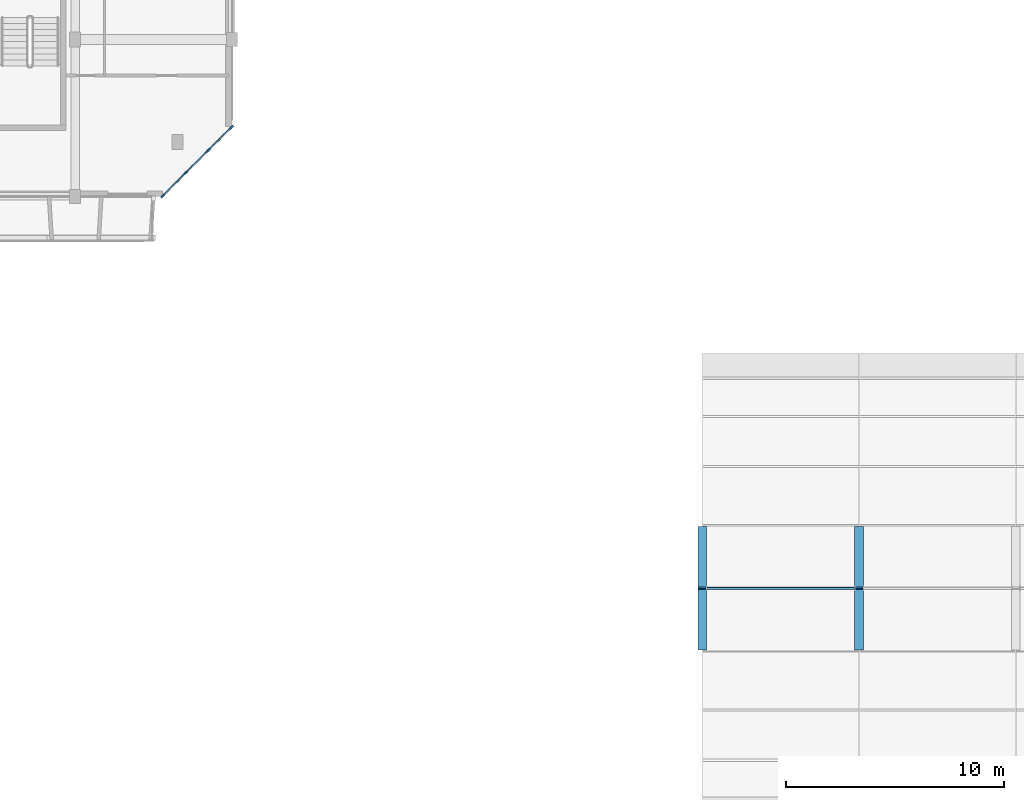
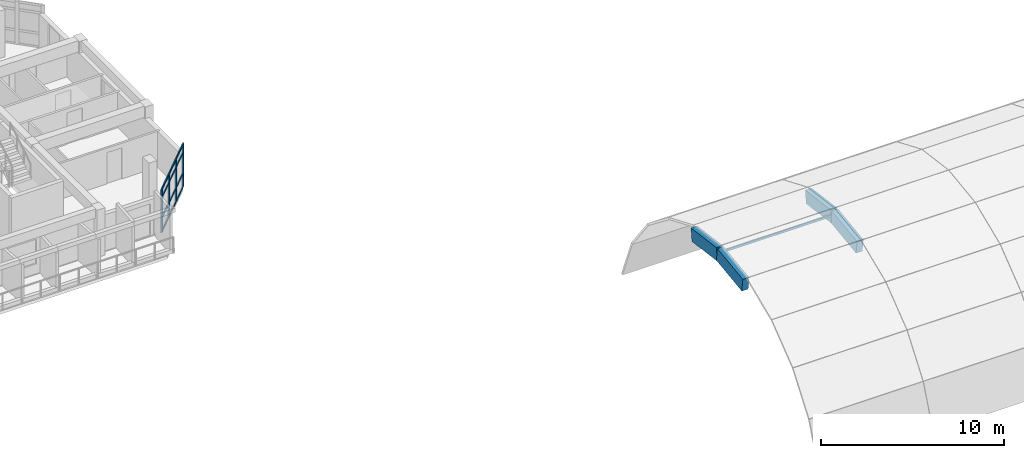
# One storey, part 5 of 51: 17 members, 4 beams, 1 element without a shape of its own.
"""IFC4 building model written with IfcOpenShell, lengths in metres."""

from ifc_helpers import new_model, si_unit, direction, frame, origin, origin_2d, place, context, subcontext, project, spatial, rectangle, hollow_rectangle, extrude, material, layer, layer_set, material_profile, profile_set, type_object, element, aggregate, save


model = new_model("IFC4")

# Units and contexts
model_context = context("Model", 3, precision=1e-05, world=origin(), true_north=direction((0.0, 1.0)))
body_context = subcontext(model_context, "Body", "Model", "MODEL_VIEW")
ifc_project = project(units=[si_unit("LENGTHUNIT", "METRE"), si_unit("AREAUNIT", "SQUARE_METRE"), si_unit("VOLUMEUNIT", "CUBIC_METRE"), si_unit("PLANEANGLEUNIT", "RADIAN"), si_unit("MASSUNIT", "GRAM", prefix="KILO")], contexts=[model_context])

# Site, building, storey
site_placement = place(None, origin())
site = spatial("IfcSite", under=ifc_project, at=site_placement, CompositionType="ELEMENT")
building_placement = place(site_placement, origin())
building = spatial("IfcBuilding", under=site, at=building_placement, Name="Ochrevale Crest", CompositionType="ELEMENT")
storey_placement = place(building_placement, frame((0.0, 0.0, 11.85009765625)))
storey = spatial("IfcBuildingStorey", under=building, at=storey_placement, Name="L03", CompositionType="ELEMENT", Elevation=11.85009765625)

# Beams
ifc_material_1 = material(Name="Precast concrete C50/60", Category="concrete")
ifc_material_profile_1 = material_profile(ifc_material_1, rectangle(XDim=0.39990234375, YDim=0.85009765625, at=origin_2d()), Name="PC 400x850")
ifc_profile_set_1 = profile_set([ifc_material_profile_1], Name="Precast concrete C50/60")
beam_type = type_object("IfcBeamType", Name="BM-AR400x850", PredefinedType="BEAM", material=ifc_profile_set_1)
for number, where, z_axis, x_axis, name in (
    (1, (57.60009765625, 51.222412109375, 0.465576171875), (0.0, 0.991272739932, 0.131826989146), (-1.0, 0.0, 0.0), "Precast vault arch rib AR-01 chord 5"),
    (2, (57.60009765625, 54.0, 0.8349609375), (0.0, 0.991272739932, -0.131826989146), (-1.0, 0.0, 0.0), "Precast vault arch rib AR-01 chord 6"),
    (3, (64.800048828125, 51.222412109375, 0.465576171875), (0.0, 0.991272739932, 0.131826989146), (-1.0, 0.0, 0.0), "Precast vault arch rib AR-02 chord 5"),
    (4, (64.800048828125, 54.0, 0.8349609375), (0.0, 0.991272739932, -0.131826989146), (-1.0, 0.0, 0.0), "Precast vault arch rib AR-02 chord 6"),
):
    element("IfcBeam", number, at=place(storey_placement, frame(where, z_axis=z_axis, x_axis=x_axis)), inside=storey, type_object=beam_type, Name=name, PredefinedType="BEAM", context=body_context, shape_type="SweptSolid", body=[
        extrude(rectangle(XDim=0.39990234375, YDim=0.85009765625, at=origin_2d()), origin(), (0.0, 0.0, 1.0), 2.802001953125),
    ])

# Curtain wall, members
ifc_material_2 = material(Name="Anodised aluminium 6063-T5", Category="aluminium")
ifc_layer = layer(ifc_material_2, 0.14990234375)
ifc_layer_set = layer_set([ifc_layer], Name="Anodised aluminium 6063-T5")
curtain_wall_type = type_object("IfcCurtainWallType", Name="CW-WG-240x285", PredefinedType="NOTDEFINED", material=ifc_layer_set)
curtain_wall_placement = place(storey_placement, origin())
curtain_wall = element("IfcCurtainWall", 5, at=curtain_wall_placement, inside=storey, type_object=curtain_wall_type, Name="Block B L03 chamfered corner wintergarden curtain wall 2", PredefinedType="NOTDEFINED")
ifc_material_profile_2 = material_profile(ifc_material_2, rectangle(XDim=0.074951171875, YDim=0.219970703125, at=origin_2d()), Name="ALU 75x220")
ifc_profile_set_2 = profile_set([ifc_material_profile_2], Name="Anodised aluminium 6063-T5")
member_type_1 = type_object("IfcMemberType", Name="CW-MUL-75x220", PredefinedType="MULLION", material=ifc_profile_set_2)
member_1_placement = place(storey_placement, frame((32.826416015625, 72.026611328125, 0.0), z_axis=(0.0, 0.0, 1.0), x_axis=(-0.707106781187, 0.707106781187, 0.0)))
member_1 = element("IfcMember", 6, at=member_1_placement, type_object=member_type_1, Name="CW15 mullion 1", PredefinedType="MULLION", context=body_context, shape_type="SweptSolid", body=[
    extrude(rectangle(XDim=0.074951171875, YDim=0.219970703125, at=origin_2d()), origin(), (0.0, 0.0, 1.0), 2.875),
])
member_2_placement = place(storey_placement, frame((33.86669921875, 73.066650390625, 0.0), z_axis=(0.0, 0.0, 1.0), x_axis=(-0.707106781187, 0.707106781187, 0.0)))
member_2 = element("IfcMember", 7, at=member_2_placement, type_object=member_type_1, Name="CW15 mullion 2", PredefinedType="MULLION", context=body_context, shape_type="SweptSolid", body=[
    extrude(rectangle(XDim=0.074951171875, YDim=0.219970703125, at=origin_2d()), origin(), (0.0, 0.0, 1.0), 2.875),
])
member_3_placement = place(storey_placement, frame((34.933349609375, 74.13330078125, 0.0), z_axis=(0.0, 0.0, 1.0), x_axis=(-0.707106781187, 0.707106781187, 0.0)))
member_3 = element("IfcMember", 8, at=member_3_placement, type_object=member_type_1, Name="CW15 mullion 3", PredefinedType="MULLION", context=body_context, shape_type="SweptSolid", body=[
    extrude(rectangle(XDim=0.074951171875, YDim=0.219970703125, at=origin_2d()), origin(), (0.0, 0.0, 1.0), 2.875),
])
member_4_placement = place(storey_placement, frame((35.973388671875, 75.173583984375, 0.0), z_axis=(0.0, 0.0, 1.0), x_axis=(-0.707106781187, 0.707106781187, 0.0)))
member_4 = element("IfcMember", 9, at=member_4_placement, type_object=member_type_1, Name="CW15 mullion 4", PredefinedType="MULLION", context=body_context, shape_type="SweptSolid", body=[
    extrude(rectangle(XDim=0.074951171875, YDim=0.219970703125, at=origin_2d()), origin(), (0.0, 0.0, 1.0), 2.875),
])
ifc_material_profile_3 = material_profile(ifc_material_2, rectangle(XDim=0.06005859375, YDim=0.14990234375, at=origin_2d()), Name="ALU 60x150")
ifc_profile_set_3 = profile_set([ifc_material_profile_3], Name="Anodised aluminium 6063-T5")
member_type_2 = type_object("IfcMemberType", Name="CW-TRN-60x150", PredefinedType="USERDEFINED", material=ifc_profile_set_3)
member_5_placement = place(storey_placement, frame((32.85302734375, 72.052978515625, 0.02978515625), z_axis=(0.707106781187, 0.707106781187, 0.0), x_axis=(-0.707106781187, 0.707106781187, 0.0)))
member_5 = element("IfcMember", 10, at=member_5_placement, type_object=member_type_2, Name="CW15 transom 1.1", ObjectType="TRANSOM", PredefinedType="USERDEFINED", context=body_context, shape_type="SweptSolid", body=[
    extrude(rectangle(XDim=0.06005859375, YDim=0.14990234375, at=origin_2d()), origin(), (0.0, 0.0, 1.0), 1.39599609375),
])
member_6_placement = place(storey_placement, frame((32.85302734375, 72.052978515625, 0.949951171875), z_axis=(0.707106781187, 0.707106781187, 0.0), x_axis=(-0.707106781187, 0.707106781187, 0.0)))
member_6 = element("IfcMember", 11, at=member_6_placement, type_object=member_type_2, Name="CW15 transom 1.2", ObjectType="TRANSOM", PredefinedType="USERDEFINED", context=body_context, shape_type="SweptSolid", body=[
    extrude(rectangle(XDim=0.06005859375, YDim=0.14990234375, at=origin_2d()), origin(), (0.0, 0.0, 1.0), 1.39599609375),
])
member_7_placement = place(storey_placement, frame((32.85302734375, 72.052978515625, 2.324951171875), z_axis=(0.707106781187, 0.707106781187, 0.0), x_axis=(-0.707106781187, 0.707106781187, 0.0)))
member_7 = element("IfcMember", 12, at=member_7_placement, type_object=member_type_2, Name="CW15 transom 1.3", ObjectType="TRANSOM", PredefinedType="USERDEFINED", context=body_context, shape_type="SweptSolid", body=[
    extrude(rectangle(XDim=0.06005859375, YDim=0.14990234375, at=origin_2d()), origin(), (0.0, 0.0, 1.0), 1.39599609375),
])
member_8_placement = place(storey_placement, frame((32.85302734375, 72.052978515625, 2.844970703125), z_axis=(0.707106781187, 0.707106781187, 0.0), x_axis=(-0.707106781187, 0.707106781187, 0.0)))
member_8 = element("IfcMember", 13, at=member_8_placement, type_object=member_type_2, Name="CW15 transom 1.4", ObjectType="TRANSOM", PredefinedType="USERDEFINED", context=body_context, shape_type="SweptSolid", body=[
    extrude(rectangle(XDim=0.06005859375, YDim=0.14990234375, at=origin_2d()), origin(), (0.0, 0.0, 1.0), 1.39599609375),
])
member_9_placement = place(storey_placement, frame((33.89306640625, 73.09326171875, 0.02978515625), z_axis=(0.707106781187, 0.707106781187, 0.0), x_axis=(-0.707106781187, 0.707106781187, 0.0)))
member_9 = element("IfcMember", 14, at=member_9_placement, type_object=member_type_2, Name="CW15 transom 2.1", ObjectType="TRANSOM", PredefinedType="USERDEFINED", context=body_context, shape_type="SweptSolid", body=[
    extrude(rectangle(XDim=0.06005859375, YDim=0.14990234375, at=origin_2d()), origin(), (0.0, 0.0, 1.0), 1.43359375),
])
member_10_placement = place(storey_placement, frame((33.89306640625, 73.09326171875, 0.949951171875), z_axis=(0.707106781187, 0.707106781187, 0.0), x_axis=(-0.707106781187, 0.707106781187, 0.0)))
member_10 = element("IfcMember", 15, at=member_10_placement, type_object=member_type_2, Name="CW15 transom 2.2", ObjectType="TRANSOM", PredefinedType="USERDEFINED", context=body_context, shape_type="SweptSolid", body=[
    extrude(rectangle(XDim=0.06005859375, YDim=0.14990234375, at=origin_2d()), origin(), (0.0, 0.0, 1.0), 1.43359375),
])
member_11_placement = place(storey_placement, frame((33.89306640625, 73.09326171875, 2.324951171875), z_axis=(0.707106781187, 0.707106781187, 0.0), x_axis=(-0.707106781187, 0.707106781187, 0.0)))
member_11 = element("IfcMember", 16, at=member_11_placement, type_object=member_type_2, Name="CW15 transom 2.3", ObjectType="TRANSOM", PredefinedType="USERDEFINED", context=body_context, shape_type="SweptSolid", body=[
    extrude(rectangle(XDim=0.06005859375, YDim=0.14990234375, at=origin_2d()), origin(), (0.0, 0.0, 1.0), 1.43359375),
])
member_12_placement = place(storey_placement, frame((33.89306640625, 73.09326171875, 2.844970703125), z_axis=(0.707106781187, 0.707106781187, 0.0), x_axis=(-0.707106781187, 0.707106781187, 0.0)))
member_12 = element("IfcMember", 17, at=member_12_placement, type_object=member_type_2, Name="CW15 transom 2.4", ObjectType="TRANSOM", PredefinedType="USERDEFINED", context=body_context, shape_type="SweptSolid", body=[
    extrude(rectangle(XDim=0.06005859375, YDim=0.14990234375, at=origin_2d()), origin(), (0.0, 0.0, 1.0), 1.43359375),
])
member_13_placement = place(storey_placement, frame((34.9599609375, 74.159912109375, 0.02978515625), z_axis=(0.707106781187, 0.707106781187, 0.0), x_axis=(-0.707106781187, 0.707106781187, 0.0)))
member_13 = element("IfcMember", 18, at=member_13_placement, type_object=member_type_2, Name="CW15 transom 3.1", ObjectType="TRANSOM", PredefinedType="USERDEFINED", context=body_context, shape_type="SweptSolid", body=[
    extrude(rectangle(XDim=0.06005859375, YDim=0.14990234375, at=origin_2d()), origin(), (0.0, 0.0, 1.0), 1.39599609375),
])
member_14_placement = place(storey_placement, frame((34.9599609375, 74.159912109375, 0.949951171875), z_axis=(0.707106781187, 0.707106781187, 0.0), x_axis=(-0.707106781187, 0.707106781187, 0.0)))
member_14 = element("IfcMember", 19, at=member_14_placement, type_object=member_type_2, Name="CW15 transom 3.2", ObjectType="TRANSOM", PredefinedType="USERDEFINED", context=body_context, shape_type="SweptSolid", body=[
    extrude(rectangle(XDim=0.06005859375, YDim=0.14990234375, at=origin_2d()), origin(), (0.0, 0.0, 1.0), 1.39599609375),
])
member_15_placement = place(storey_placement, frame((34.9599609375, 74.159912109375, 2.324951171875), z_axis=(0.707106781187, 0.707106781187, 0.0), x_axis=(-0.707106781187, 0.707106781187, 0.0)))
member_15 = element("IfcMember", 20, at=member_15_placement, type_object=member_type_2, Name="CW15 transom 3.3", ObjectType="TRANSOM", PredefinedType="USERDEFINED", context=body_context, shape_type="SweptSolid", body=[
    extrude(rectangle(XDim=0.06005859375, YDim=0.14990234375, at=origin_2d()), origin(), (0.0, 0.0, 1.0), 1.39599609375),
])
member_16_placement = place(storey_placement, frame((34.9599609375, 74.159912109375, 2.844970703125), z_axis=(0.707106781187, 0.707106781187, 0.0), x_axis=(-0.707106781187, 0.707106781187, 0.0)))
member_16 = element("IfcMember", 21, at=member_16_placement, type_object=member_type_2, Name="CW15 transom 3.4", ObjectType="TRANSOM", PredefinedType="USERDEFINED", context=body_context, shape_type="SweptSolid", body=[
    extrude(rectangle(XDim=0.06005859375, YDim=0.14990234375, at=origin_2d()), origin(), (0.0, 0.0, 1.0), 1.39599609375),
])
aggregate(curtain_wall, [member_1, member_2, member_3, member_4, member_5, member_6, member_7, member_8, member_9, member_10, member_11, member_12, member_13, member_14, member_15, member_16])

# Member
ifc_material_3 = material(Name="Steel S355", Category="steel")
ifc_material_profile_4 = material_profile(ifc_material_3, hollow_rectangle(XDim=0.10009765625, YDim=0.14990234375, WallThickness=0.0048828125, InnerFilletRadius=0.0048828125, OuterFilletRadius=0.010009765625, at=origin_2d()), Name="150x100x5.0RHS")
ifc_profile_set_4 = profile_set([ifc_material_profile_4], Name="Steel S355")
member_type_3 = type_object("IfcMemberType", Name="MEM-RHS150-PR", PredefinedType="PURLIN", material=ifc_profile_set_4)
member_17_placement = place(storey_placement, frame((57.800048828125, 54.0, 0.914794921875), z_axis=(1.0, 0.0, 0.0), x_axis=(0.0, 1.0, 0.0)))
element("IfcMember", 22, at=member_17_placement, inside=storey, type_object=member_type_3, Name="Vault longitudinal steel purlin B1-5", PredefinedType="PURLIN", context=body_context, shape_type="SweptSolid", body=[
    extrude(hollow_rectangle(XDim=0.10009765625, YDim=0.14990234375, WallThickness=0.0048828125, InnerFilletRadius=0.0048828125, OuterFilletRadius=0.010009765625, at=origin_2d()), origin(), (0.0, 0.0, 1.0), 6.800048828125),
])

save(model, "model.ifc")
